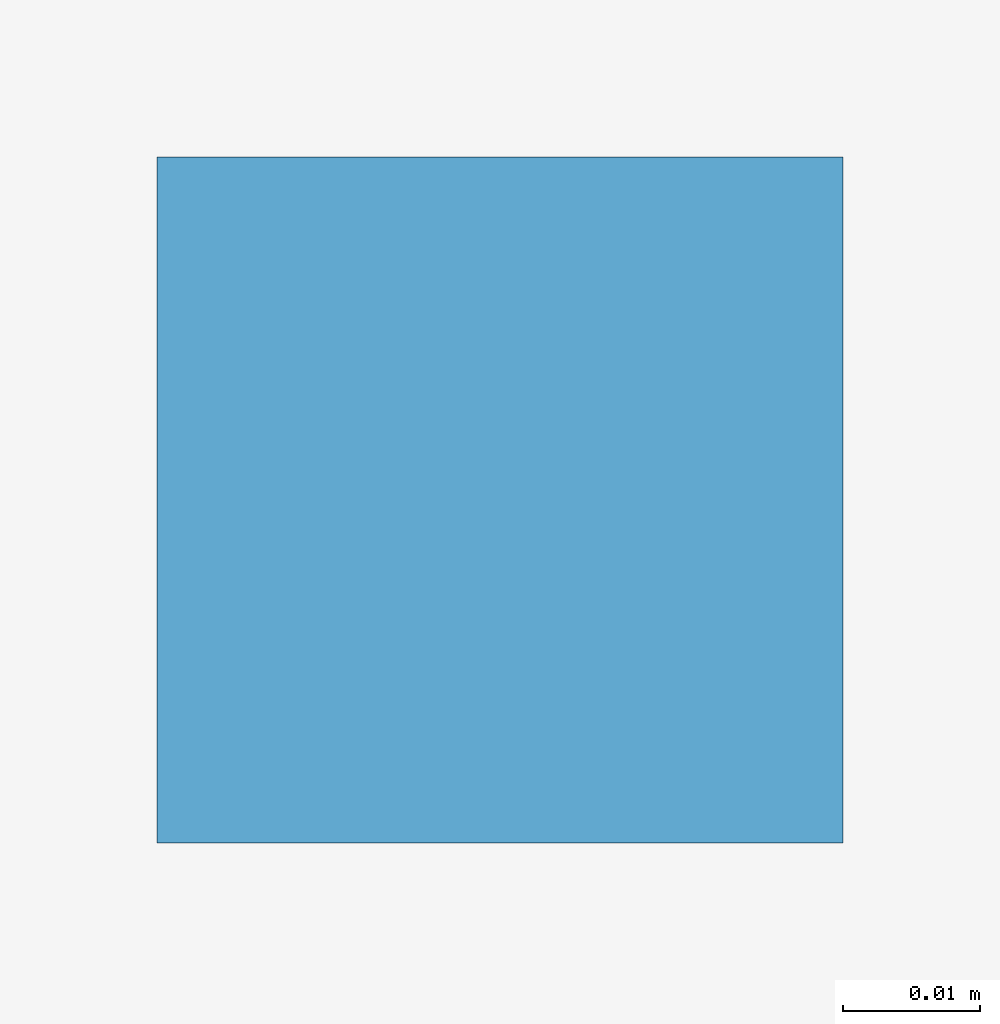
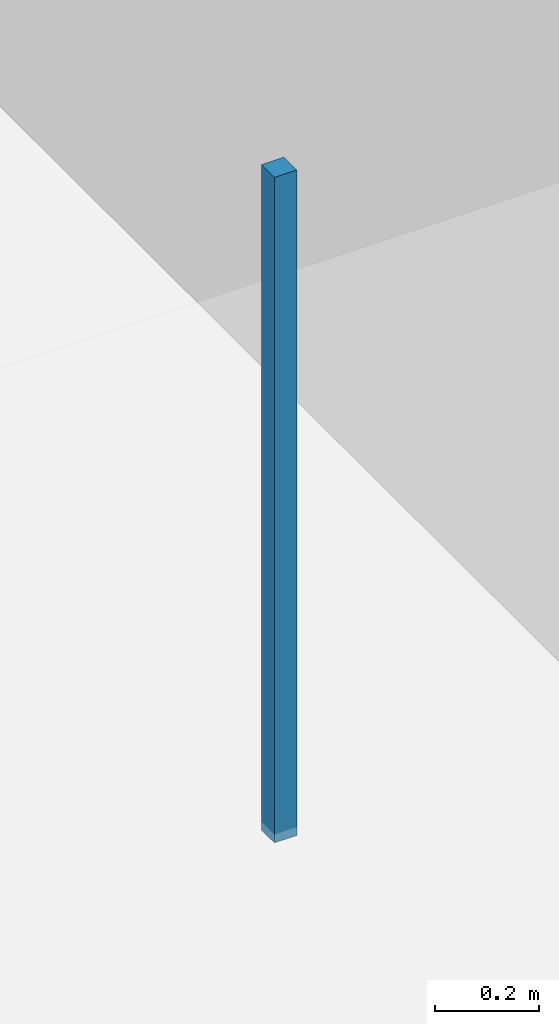
# One storey, part 38 of 56: 1 discrete accessory.
"""IFC4 building model written with IfcOpenShell, lengths in metres."""

from ifc_helpers import new_model, si_unit, direction, frame, origin, origin_2d, place, context, subcontext, project, spatial, rectangle, extrude, material, type_object, element, save


model = new_model("IFC4")

# Units and contexts
model_context = context("Model", 3, precision=1e-05, world=origin(), true_north=direction((0.0, 1.0)))
body_context = subcontext(model_context, "Body", "Model", "MODEL_VIEW")
ifc_project = project(units=[si_unit("LENGTHUNIT", "METRE"), si_unit("AREAUNIT", "SQUARE_METRE"), si_unit("VOLUMEUNIT", "CUBIC_METRE"), si_unit("PLANEANGLEUNIT", "RADIAN"), si_unit("MASSUNIT", "GRAM", prefix="KILO")], contexts=[model_context])

# Site, building, storey
site_placement = place(None, origin())
site = spatial("IfcSite", under=ifc_project, at=site_placement, CompositionType="ELEMENT")
building_placement = place(site_placement, origin())
building = spatial("IfcBuilding", under=site, at=building_placement, Name="Kazehaya Institute of Natural Sciences", CompositionType="ELEMENT")
storey_placement = place(building_placement, origin())
storey = spatial("IfcBuildingStorey", under=building, at=storey_placement, Name="L00", CompositionType="ELEMENT", Elevation=0.0)

# Discrete accessory
ifc_material = material(Name="Structural steel SN490B", Category="steel")
discrete_accessory_type = type_object("IfcDiscreteAccessoryType", Name="ACC-CLG-HGR", PredefinedType="BRACKET", material=ifc_material)
discrete_accessory_placement = place(storey_placement, frame((65.5, 42.025390625, 3.75244140625), z_axis=(0.0, 0.0, 1.0), x_axis=(1.0, 0.0, 0.0)))
element("IfcDiscreteAccessory", 1, at=discrete_accessory_placement, inside=storey, type_object=discrete_accessory_type, Name="L00 ceiling suspension hanger 10", PredefinedType="BRACKET", context=body_context, shape_type="SweptSolid", body=[
    extrude(rectangle(XDim=0.050048828125, YDim=0.050048828125, at=origin_2d()), origin(), (0.0, 0.0, 1.0), 1.5673828125),
])

save(model, "model.ifc")
